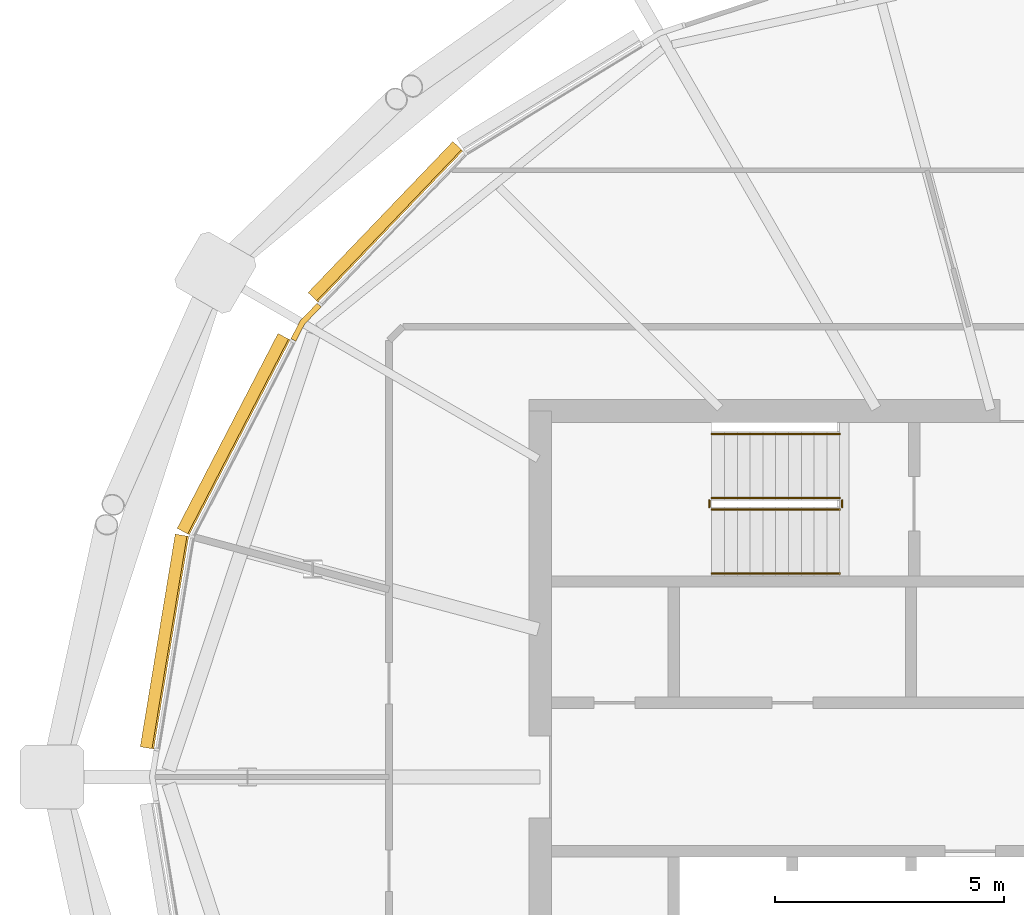
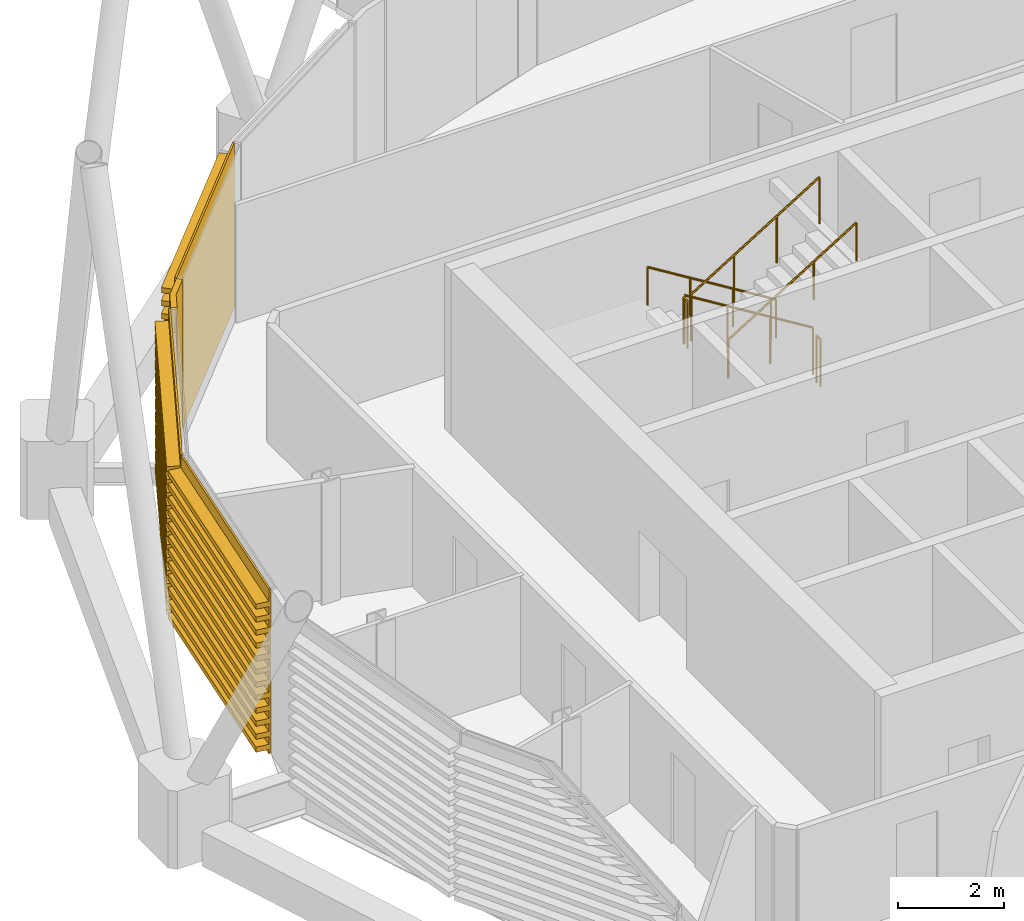
# One storey, part 28 of 32: 6 railings, 4 coverings.
"""IFC4 building model written with IfcOpenShell, lengths in metres."""

from ifc_helpers import new_model, si_unit, direction, frame, origin, origin_2d, place, context, subcontext, project, spatial, polyline, circle, outline, extrude, material, layer, layer_set, material_profile, profile_set, type_object, element, save


model = new_model("IFC4")

# Units and contexts
model_context = context("Model", 3, precision=1e-05, world=origin(), true_north=direction((0.0, 1.0)))
body_context = subcontext(model_context, "Body", "Model", "MODEL_VIEW")
ifc_project = project(units=[si_unit("LENGTHUNIT", "METRE"), si_unit("AREAUNIT", "SQUARE_METRE"), si_unit("VOLUMEUNIT", "CUBIC_METRE"), si_unit("PLANEANGLEUNIT", "RADIAN"), si_unit("MASSUNIT", "GRAM", prefix="KILO")], contexts=[model_context])

# Site, building, storey
site_placement = place(None, origin())
site = spatial("IfcSite", under=ifc_project, at=site_placement, CompositionType="ELEMENT")
building_placement = place(site_placement, origin())
building = spatial("IfcBuilding", under=site, at=building_placement, Name="Rimbun Link Towers", CompositionType="ELEMENT")
storey_placement = place(building_placement, frame((0.0, 0.0, 233.300048828125)))
storey = spatial("IfcBuildingStorey", under=building, at=storey_placement, Name="L57", CompositionType="ELEMENT", Elevation=233.300048828125)

# Covering
ifc_material_1 = material(Name="Terracotta", Category="masonry")
ifc_layer = layer(ifc_material_1, 0.1201171875)
ifc_layer_set = layer_set([ifc_layer], Name="LINK PIER terracotta cladding 120")
covering_type_1 = type_object("IfcCoveringType", Name="LINK PIER terracotta cladding 120", PredefinedType="CLADDING", material=ifc_layer_set)
covering_1_placement = place(storey_placement, origin())
element("IfcCovering", 1, at=covering_1_placement, inside=storey, type_object=covering_type_1, Name="LINK PIER cladding", PredefinedType="CLADDING", context=body_context, shape_type="SweptSolid", body=[
    extrude(outline(polyline([(-49.0947265625, 9.529541015625), (-48.901611328125, 9.902587890625), (-48.541748046875, 10.278076171875), (-48.62841796875, 10.361083984375), (-49.000244140625, 9.97314453125), (-49.201171875, 9.584716796875), (-49.0947265625, 9.529541015625)])), origin(), (0.0, 0.0, 1.0), 3.800048828125),
])

# Railings
ifc_material_2 = material(Name="Stainless steel grade 316", Category="steel")
railing_type_1 = type_object("IfcRailingType", Name="Stair guard", PredefinedType="GUARDRAIL", material=ifc_material_2)
railing_1_placement = place(storey_placement, frame((-37.199951171875, 6.10009765625, 0.172607421875)))
element("IfcRailing", 2, at=railing_1_placement, inside=storey, type_object=railing_type_1, Name="L57 ST1 stair guard 1", PredefinedType="GUARDRAIL", context=body_context, shape_type="SweptSolid", body=[
    extrude(circle(Radius=0.02392578125, at=origin_2d()), frame((0.0, 0.0, 1.076171875), z_axis=(-0.851089632645, 0.0, 0.525020415988), x_axis=(0.0, -1.0, 0.0)), (0.0, 0.0, 1.0), 3.2900390625),
    extrude(circle(Radius=0.02099609375, at=origin_2d()), origin(), (0.0, 0.0, 1.0), 1.052001953125),
    extrude(circle(Radius=0.02099609375, at=origin_2d()), frame((-0.933349609375, 0.0, 0.57568359375)), (0.0, 0.0, 1.0), 1.052001953125),
    extrude(circle(Radius=0.02099609375, at=origin_2d()), frame((-1.86669921875, 0.0, 1.151611328125)), (0.0, 0.0, 1.0), 1.052001953125),
    extrude(circle(Radius=0.02099609375, at=origin_2d()), frame((-2.800048828125, 0.0, 1.727294921875)), (0.0, 0.0, 1.0), 1.052001953125),
])
railing_2_placement = place(storey_placement, frame((-40.050048828125, 6.050048828125, 1.89990234375)))
element("IfcRailing", 3, at=railing_2_placement, inside=storey, type_object=railing_type_1, Name="L57 ST1 stair guard 2", PredefinedType="GUARDRAIL", context=body_context, shape_type="SweptSolid", body=[
    extrude(circle(Radius=0.02392578125, at=origin_2d()), frame((0.0, 0.0, 1.076171875), z_axis=(0.0, -1.0, 0.0), x_axis=(1.0, 0.0, 0.0)), (0.0, 0.0, 1.0), 0.150146484375),
    extrude(circle(Radius=0.02099609375, at=origin_2d()), origin(), (0.0, 0.0, 1.0), 1.052001953125),
    extrude(circle(Radius=0.02099609375, at=origin_2d()), frame((0.0, -0.150146484375, 0.0)), (0.0, 0.0, 1.0), 1.052001953125),
])
railing_3_placement = place(storey_placement, frame((-40.0, 5.85009765625, 2.07275390625)))
element("IfcRailing", 4, at=railing_3_placement, inside=storey, type_object=railing_type_1, Name="L57 ST1 stair guard 3", PredefinedType="GUARDRAIL", context=body_context, shape_type="SweptSolid", body=[
    extrude(circle(Radius=0.02392578125, at=origin_2d()), frame((0.0, 0.0, 1.076171875), z_axis=(0.851089632645, 0.0, 0.525020415988), x_axis=(0.0, 1.0, 0.0)), (0.0, 0.0, 1.0), 3.2900390625),
    extrude(circle(Radius=0.02099609375, at=origin_2d()), origin(), (0.0, 0.0, 1.0), 1.052001953125),
    extrude(circle(Radius=0.02099609375, at=origin_2d()), frame((0.933349609375, 0.0, 0.57568359375)), (0.0, 0.0, 1.0), 1.052001953125),
    extrude(circle(Radius=0.02099609375, at=origin_2d()), frame((1.86669921875, 0.0, 1.151611328125)), (0.0, 0.0, 1.0), 1.052001953125),
    extrude(circle(Radius=0.02099609375, at=origin_2d()), frame((2.800048828125, 0.0, 1.727294921875)), (0.0, 0.0, 1.0), 1.052001953125),
])
railing_4_placement = place(storey_placement, frame((-37.14990234375, 6.050048828125, 0.0)))
element("IfcRailing", 5, at=railing_4_placement, inside=storey, type_object=railing_type_1, Name="L57 ST1 stair guard 4", PredefinedType="GUARDRAIL", context=body_context, shape_type="SweptSolid", body=[
    extrude(circle(Radius=0.02392578125, at=origin_2d()), frame((0.0, 0.0, 1.076171875), z_axis=(0.0, -1.0, 0.0), x_axis=(1.0, 0.0, 0.0)), (0.0, 0.0, 1.0), 0.150146484375),
    extrude(circle(Radius=0.02099609375, at=origin_2d()), origin(), (0.0, 0.0, 1.0), 1.052001953125),
    extrude(circle(Radius=0.02099609375, at=origin_2d()), frame((0.0, -0.150146484375, 0.0)), (0.0, 0.0, 1.0), 1.052001953125),
])
ifc_material_3 = material(Name="Stainless steel grade 316", Category="steel")
railing_type_2 = type_object("IfcRailingType", Name="Stair handrail", PredefinedType="HANDRAIL", material=ifc_material_3)
railing_5_placement = place(storey_placement, frame((-37.199951171875, 7.5, 0.172607421875)))
element("IfcRailing", 6, at=railing_5_placement, inside=storey, type_object=railing_type_2, Name="L57 ST1 stair handrail 1", PredefinedType="HANDRAIL", context=body_context, shape_type="SweptSolid", body=[
    extrude(circle(Radius=0.02392578125, at=origin_2d()), frame((0.0, 0.0, 0.8759765625), z_axis=(-0.851089632645, 0.0, 0.525020415988), x_axis=(0.0, -1.0, 0.0)), (0.0, 0.0, 1.0), 3.2900390625),
    extrude(circle(Radius=0.02099609375, at=origin_2d()), origin(), (0.0, 0.0, 1.0), 0.851806640625),
    extrude(circle(Radius=0.02099609375, at=origin_2d()), frame((-0.933349609375, 0.0, 0.57568359375)), (0.0, 0.0, 1.0), 0.851806640625),
    extrude(circle(Radius=0.02099609375, at=origin_2d()), frame((-1.86669921875, 0.0, 1.151611328125)), (0.0, 0.0, 1.0), 0.851806640625),
    extrude(circle(Radius=0.02099609375, at=origin_2d()), frame((-2.800048828125, 0.0, 1.727294921875)), (0.0, 0.0, 1.0), 0.851806640625),
])
railing_6_placement = place(storey_placement, frame((-40.0, 4.449951171875, 2.07275390625)))
element("IfcRailing", 7, at=railing_6_placement, inside=storey, type_object=railing_type_2, Name="L57 ST1 stair handrail 2", PredefinedType="HANDRAIL", context=body_context, shape_type="SweptSolid", body=[
    extrude(circle(Radius=0.02392578125, at=origin_2d()), frame((0.0, 0.0, 0.8759765625), z_axis=(0.851089632645, 0.0, 0.525020415988), x_axis=(0.0, 1.0, 0.0)), (0.0, 0.0, 1.0), 3.2900390625),
    extrude(circle(Radius=0.02099609375, at=origin_2d()), origin(), (0.0, 0.0, 1.0), 0.851806640625),
    extrude(circle(Radius=0.02099609375, at=origin_2d()), frame((0.933349609375, 0.0, 0.57568359375)), (0.0, 0.0, 1.0), 0.851806640625),
    extrude(circle(Radius=0.02099609375, at=origin_2d()), frame((1.86669921875, 0.0, 1.151611328125)), (0.0, 0.0, 1.0), 0.851806640625),
    extrude(circle(Radius=0.02099609375, at=origin_2d()), frame((2.800048828125, 0.0, 1.727294921875)), (0.0, 0.0, 1.0), 0.851806640625),
])

# Coverings
ifc_material_4 = material(Name="Terracotta", Category="masonry")
ifc_material_profile = material_profile(ifc_material_4, outline(polyline([(0.123046875, 0.0), (0.1630859375, 0.0), (0.1630859375, 0.10009765625), (0.423095703125, 0.10009765625), (0.423095703125, 0.219970703125), (0.1630859375, 0.219970703125), (0.1630859375, 0.39990234375), (0.423095703125, 0.39990234375), (0.423095703125, 0.52001953125), (0.1630859375, 0.52001953125), (0.1630859375, 0.699951171875), (0.423095703125, 0.699951171875), (0.423095703125, 0.820068359375), (0.1630859375, 0.820068359375), (0.1630859375, 1.0), (0.423095703125, 1.0), (0.423095703125, 1.1201171875), (0.1630859375, 1.1201171875), (0.1630859375, 1.300048828125), (0.423095703125, 1.300048828125), (0.423095703125, 1.419921875), (0.1630859375, 1.419921875), (0.1630859375, 1.60009765625), (0.423095703125, 1.60009765625), (0.423095703125, 1.719970703125), (0.1630859375, 1.719970703125), (0.1630859375, 1.89990234375), (0.423095703125, 1.89990234375), (0.423095703125, 2.02001953125), (0.1630859375, 2.02001953125), (0.1630859375, 2.199951171875), (0.423095703125, 2.199951171875), (0.423095703125, 2.320068359375), (0.1630859375, 2.320068359375), (0.1630859375, 2.5), (0.423095703125, 2.5), (0.423095703125, 2.6201171875), (0.1630859375, 2.6201171875), (0.1630859375, 2.800048828125), (0.423095703125, 2.800048828125), (0.423095703125, 2.919921875), (0.1630859375, 2.919921875), (0.1630859375, 3.10009765625), (0.423095703125, 3.10009765625), (0.423095703125, 3.219970703125), (0.1630859375, 3.219970703125), (0.1630859375, 3.39990234375), (0.423095703125, 3.39990234375), (0.423095703125, 3.52001953125), (0.1630859375, 3.52001953125), (0.1630859375, 3.800048828125), (0.123046875, 3.800048828125), (0.123046875, 0.0)])), Name="BAGUETTE 120X300")
ifc_profile_set = profile_set([ifc_material_profile], Name="Terracotta")
covering_type_2 = type_object("IfcCoveringType", Name="TERRACOTTA BAGUETTE 120X300 H3800", PredefinedType="CLADDING", material=ifc_profile_set)
covering_2_placement = place(storey_placement, frame((-48.52099609375, 10.299560546875, 0.0), z_axis=(0.69204089891, 0.721858292351, 0.0), x_axis=(-0.721858292351, 0.69204089891, 0.0)))
element("IfcCovering", 8, at=covering_2_placement, inside=storey, type_object=covering_type_2, Name="TERRACOTTA BAGUETTE", PredefinedType="CLADDING", context=body_context, shape_type="SweptSolid", body=[
    extrude(outline(polyline([(0.123046875, 0.0), (0.1630859375, 0.0), (0.1630859375, 0.10009765625), (0.423095703125, 0.10009765625), (0.423095703125, 0.219970703125), (0.1630859375, 0.219970703125), (0.1630859375, 0.39990234375), (0.423095703125, 0.39990234375), (0.423095703125, 0.52001953125), (0.1630859375, 0.52001953125), (0.1630859375, 0.699951171875), (0.423095703125, 0.699951171875), (0.423095703125, 0.820068359375), (0.1630859375, 0.820068359375), (0.1630859375, 1.0), (0.423095703125, 1.0), (0.423095703125, 1.1201171875), (0.1630859375, 1.1201171875), (0.1630859375, 1.300048828125), (0.423095703125, 1.300048828125), (0.423095703125, 1.419921875), (0.1630859375, 1.419921875), (0.1630859375, 1.60009765625), (0.423095703125, 1.60009765625), (0.423095703125, 1.719970703125), (0.1630859375, 1.719970703125), (0.1630859375, 1.89990234375), (0.423095703125, 1.89990234375), (0.423095703125, 2.02001953125), (0.1630859375, 2.02001953125), (0.1630859375, 2.199951171875), (0.423095703125, 2.199951171875), (0.423095703125, 2.320068359375), (0.1630859375, 2.320068359375), (0.1630859375, 2.5), (0.423095703125, 2.5), (0.423095703125, 2.6201171875), (0.1630859375, 2.6201171875), (0.1630859375, 2.800048828125), (0.423095703125, 2.800048828125), (0.423095703125, 2.919921875), (0.1630859375, 2.919921875), (0.1630859375, 3.10009765625), (0.423095703125, 3.10009765625), (0.423095703125, 3.219970703125), (0.1630859375, 3.219970703125), (0.1630859375, 3.39990234375), (0.423095703125, 3.39990234375), (0.423095703125, 3.52001953125), (0.1630859375, 3.52001953125), (0.1630859375, 3.800048828125), (0.123046875, 3.800048828125), (0.123046875, 0.0)])), origin(), (0.0, 0.0, 1.0), 4.576904296875),
])
covering_3_placement = place(storey_placement, frame((-51.313232421875, 5.241943359375, 0.0), z_axis=(0.459566887816, 0.888143161671, 0.0), x_axis=(-0.888143161671, 0.459566887816, 0.0)))
element("IfcCovering", 9, at=covering_3_placement, inside=storey, type_object=covering_type_2, Name="TERRACOTTA BAGUETTE", PredefinedType="CLADDING", context=body_context, shape_type="SweptSolid", body=[
    extrude(outline(polyline([(0.123046875, 0.0), (0.1630859375, 0.0), (0.1630859375, 0.10009765625), (0.423095703125, 0.10009765625), (0.423095703125, 0.219970703125), (0.1630859375, 0.219970703125), (0.1630859375, 0.39990234375), (0.423095703125, 0.39990234375), (0.423095703125, 0.52001953125), (0.1630859375, 0.52001953125), (0.1630859375, 0.699951171875), (0.423095703125, 0.699951171875), (0.423095703125, 0.820068359375), (0.1630859375, 0.820068359375), (0.1630859375, 1.0), (0.423095703125, 1.0), (0.423095703125, 1.1201171875), (0.1630859375, 1.1201171875), (0.1630859375, 1.300048828125), (0.423095703125, 1.300048828125), (0.423095703125, 1.419921875), (0.1630859375, 1.419921875), (0.1630859375, 1.60009765625), (0.423095703125, 1.60009765625), (0.423095703125, 1.719970703125), (0.1630859375, 1.719970703125), (0.1630859375, 1.89990234375), (0.423095703125, 1.89990234375), (0.423095703125, 2.02001953125), (0.1630859375, 2.02001953125), (0.1630859375, 2.199951171875), (0.423095703125, 2.199951171875), (0.423095703125, 2.320068359375), (0.1630859375, 2.320068359375), (0.1630859375, 2.5), (0.423095703125, 2.5), (0.423095703125, 2.6201171875), (0.1630859375, 2.6201171875), (0.1630859375, 2.800048828125), (0.423095703125, 2.800048828125), (0.423095703125, 2.919921875), (0.1630859375, 2.919921875), (0.1630859375, 3.10009765625), (0.423095703125, 3.10009765625), (0.423095703125, 3.219970703125), (0.1630859375, 3.219970703125), (0.1630859375, 3.39990234375), (0.423095703125, 3.39990234375), (0.423095703125, 3.52001953125), (0.1630859375, 3.52001953125), (0.1630859375, 3.800048828125), (0.123046875, 3.800048828125), (0.123046875, 0.0)])), origin(), (0.0, 0.0, 1.0), 4.797607421875),
])
covering_4_placement = place(storey_placement, frame((-52.077880859375, 0.592041015625, 0.0), z_axis=(0.162264646894, 0.986747274822, 0.0), x_axis=(-0.986747274822, 0.162264646894, 0.0)))
element("IfcCovering", 10, at=covering_4_placement, inside=storey, type_object=covering_type_2, Name="TERRACOTTA BAGUETTE", PredefinedType="CLADDING", context=body_context, shape_type="SweptSolid", body=[
    extrude(outline(polyline([(0.123046875, 0.0), (0.1630859375, 0.0), (0.1630859375, 0.10009765625), (0.423095703125, 0.10009765625), (0.423095703125, 0.219970703125), (0.1630859375, 0.219970703125), (0.1630859375, 0.39990234375), (0.423095703125, 0.39990234375), (0.423095703125, 0.52001953125), (0.1630859375, 0.52001953125), (0.1630859375, 0.699951171875), (0.423095703125, 0.699951171875), (0.423095703125, 0.820068359375), (0.1630859375, 0.820068359375), (0.1630859375, 1.0), (0.423095703125, 1.0), (0.423095703125, 1.1201171875), (0.1630859375, 1.1201171875), (0.1630859375, 1.300048828125), (0.423095703125, 1.300048828125), (0.423095703125, 1.419921875), (0.1630859375, 1.419921875), (0.1630859375, 1.60009765625), (0.423095703125, 1.60009765625), (0.423095703125, 1.719970703125), (0.1630859375, 1.719970703125), (0.1630859375, 1.89990234375), (0.423095703125, 1.89990234375), (0.423095703125, 2.02001953125), (0.1630859375, 2.02001953125), (0.1630859375, 2.199951171875), (0.423095703125, 2.199951171875), (0.423095703125, 2.320068359375), (0.1630859375, 2.320068359375), (0.1630859375, 2.5), (0.423095703125, 2.5), (0.423095703125, 2.6201171875), (0.1630859375, 2.6201171875), (0.1630859375, 2.800048828125), (0.423095703125, 2.800048828125), (0.423095703125, 2.919921875), (0.1630859375, 2.919921875), (0.1630859375, 3.10009765625), (0.423095703125, 3.10009765625), (0.423095703125, 3.219970703125), (0.1630859375, 3.219970703125), (0.1630859375, 3.39990234375), (0.423095703125, 3.39990234375), (0.423095703125, 3.52001953125), (0.1630859375, 3.52001953125), (0.1630859375, 3.800048828125), (0.123046875, 3.800048828125), (0.123046875, 0.0)])), origin(), (0.0, 0.0, 1.0), 4.71240234375),
])

save(model, "model.ifc")
